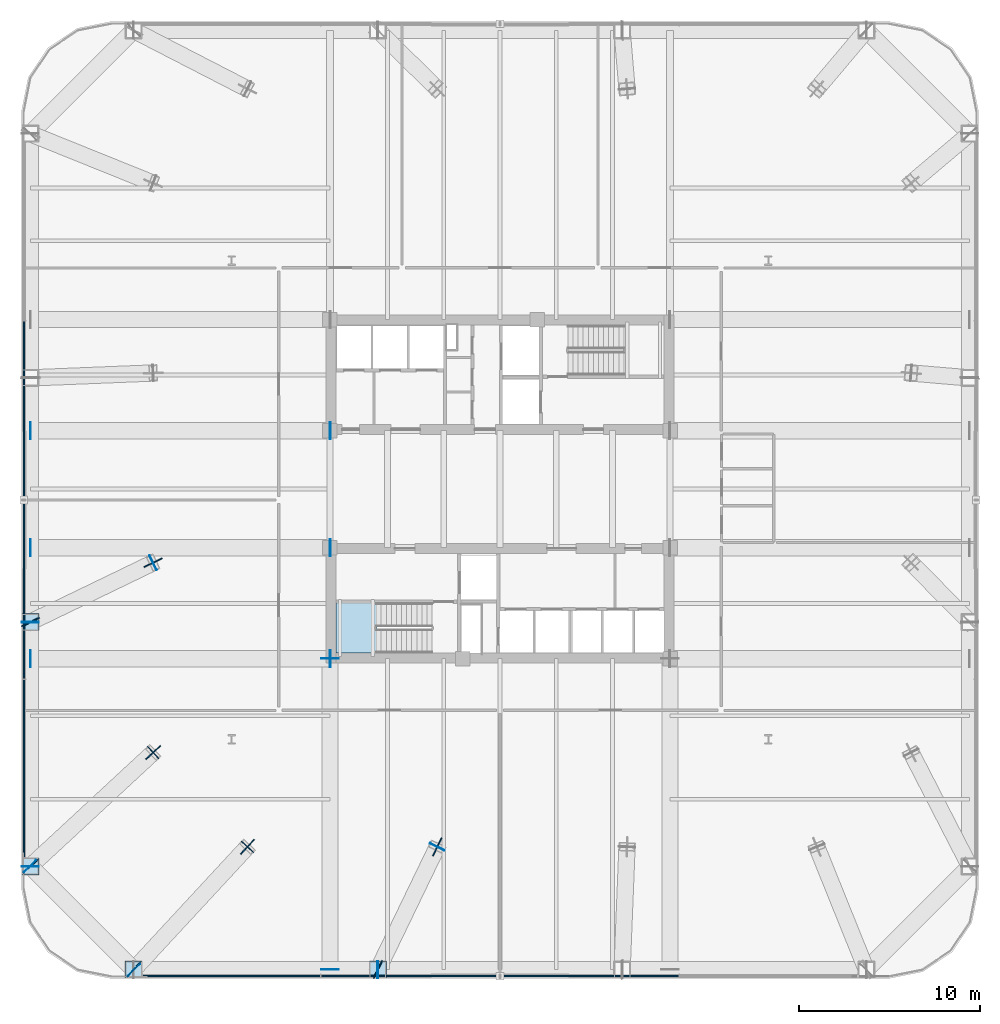
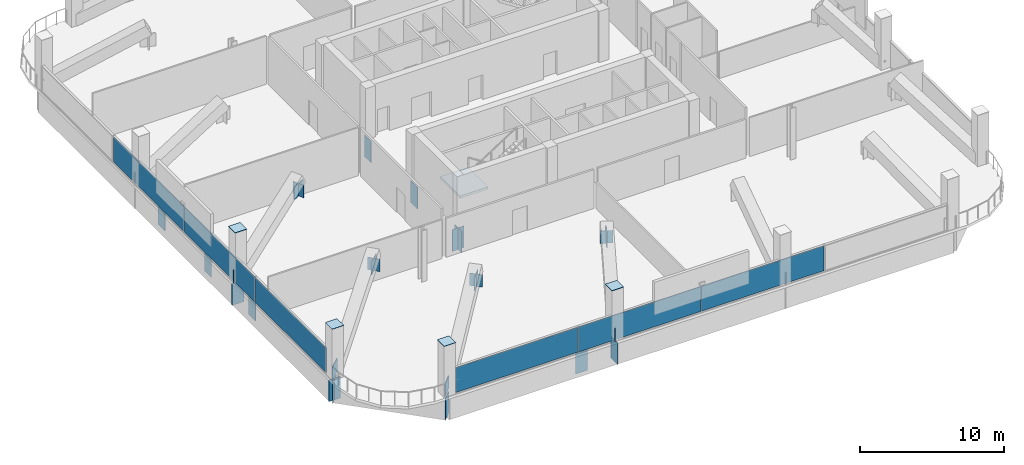
# One storey, part 26 of 38: 37 plates, 1 slab, 3 elements without a shape of their own.
"""IFC4 building model written with IfcOpenShell, lengths in metres."""

from ifc_helpers import new_model, si_unit, direction, frame, origin, origin_2d, place, context, subcontext, project, spatial, polyline, rectangle, outline, extrude, material, layer, layer_set, type_object, element, aggregate, save


model = new_model("IFC4")

# Units and contexts
model_context = context("Model", 3, precision=1e-05, world=origin(), true_north=direction((0.0, 1.0)))
body_context = subcontext(model_context, "Body", "Model", "MODEL_VIEW")
ifc_project = project(units=[si_unit("LENGTHUNIT", "METRE"), si_unit("AREAUNIT", "SQUARE_METRE"), si_unit("VOLUMEUNIT", "CUBIC_METRE"), si_unit("PLANEANGLEUNIT", "RADIAN"), si_unit("MASSUNIT", "GRAM", prefix="KILO")], contexts=[model_context])

# Site, building, storey
site_placement = place(None, origin())
site = spatial("IfcSite", under=ifc_project, at=site_placement, CompositionType="ELEMENT")
building_placement = place(site_placement, origin())
building = spatial("IfcBuilding", under=site, at=building_placement, Name="Qhalaya Broadcast Tower", CompositionType="ELEMENT")
storey_placement = place(building_placement, frame((0.0, 0.0, 53.550048828125)))
storey = spatial("IfcBuildingStorey", under=building, at=storey_placement, Name="L15", CompositionType="ELEMENT", Elevation=53.550048828125)

# Plates
ifc_material_1 = material(Name="Structural Steel ASTM A572 Grade 50", Category="steel")
ifc_layer_1 = layer(ifc_material_1, 0.054931640625, Name="Structural Steel ASTM A572 Grade 50")
ifc_layer_set_1 = layer_set([ifc_layer_1], Name="Structural Steel ASTM A572 Grade 50")
plate_type_1 = type_object("IfcPlateType", Name="Exoskeleton Diamond Node Gusset Plate NP-01", PredefinedType="USERDEFINED", material=ifc_layer_set_1)
for number, where, z_axis, x_axis, name in (
    (1, (-20.199951171875, -25.89990234375, 0.0), (0.0, 0.0, 1.0), (0.679492526614, 0.733682428764, 0.0), "L15 Strut Foot Gusset Plate 01"),
    (2, (-13.929931640625, -19.1298828125, 2.7099609375), (0.0, 0.0, 1.0), (0.679492526614, 0.733682428764, 0.0), "L15 Strut Head Gusset Plate 01"),
    (3, (-6.7333984375, -25.89990234375, 0.0), (0.0, 0.0, 1.0), (0.434932518437, 0.900463049995, 0.0), "L15 Strut Foot Gusset Plate 02"),
    (4, (-3.46337890625, -19.1298828125, 2.7099609375), (0.0, 0.0, 1.0), (0.434932518437, 0.900463049995, 0.0), "L15 Strut Head Gusset Plate 02"),
    (5, (-25.89990234375, -6.7333984375, 0.0), (0.0, 0.0, 1.0), (0.900463049995, 0.434932518437, 0.0), "L15 Strut Foot Gusset Plate 15"),
    (6, (-19.1298828125, -3.46337890625, 2.7099609375), (0.0, 0.0, 1.0), (0.900463049995, 0.434932518437, 0.0), "L15 Strut Head Gusset Plate 15"),
    (7, (-25.89990234375, -20.199951171875, 0.0), (0.0, 0.0, 1.0), (0.733682428764, 0.679492526614, 0.0), "L15 Strut Foot Gusset Plate 16"),
    (8, (-19.1298828125, -13.929931640625, 2.7099609375), (0.0, 0.0, 1.0), (0.733682428764, 0.679492526614, 0.0), "L15 Strut Head Gusset Plate 16"),
):
    element("IfcPlate", number, at=place(storey_placement, frame(where, z_axis=z_axis, x_axis=x_axis)), inside=storey, type_object=plate_type_1, Name=name, ObjectType="GUSSET_PLATE", PredefinedType="USERDEFINED", context=body_context, shape_type="SweptSolid", body=[
        extrude(rectangle(XDim=1.10009765625, YDim=0.06005859375, at=origin_2d()), origin(), (0.0, 0.0, 1.0), 1.10009765625),
    ])
ifc_layer_2 = layer(ifc_material_1, 0.4599609375, Name="Structural Steel ASTM A572 Grade 50")
ifc_layer_set_2 = layer_set([ifc_layer_2], Name="Structural Steel ASTM A572 Grade 50")
plate_type_2 = type_object("IfcPlateType", Name="Hollow Box Member End Cap Plate CP-01", PredefinedType="USERDEFINED", material=ifc_layer_set_2)
for number, where, z_axis, x_axis, name in (
    (9, (-6.71728515625, -25.89990234375, -2.0400390625), (0.0, 0.0, 1.0), (0.0, 1.0, 0.0), "L15 Hollow Girder End Cap L15-SPR-01-B"),
    (10, (-6.749267578125, -25.89990234375, -2.0400390625), (0.0, 0.0, 1.0), (0.0, 1.0, 0.0), "L15 Hollow Girder End Cap L15-SPR-02-A"),
    (11, (-25.89990234375, -6.749267578125, -2.0400390625), (0.0, 0.0, 1.0), (1.0, 0.0, 0.0), "L15 Hollow Girder End Cap L15-SPR-14-B"),
    (12, (-25.89990234375, -6.71728515625, -2.0400390625), (0.0, 0.0, 1.0), (1.0, 0.0, 0.0), "L15 Hollow Girder End Cap L15-SPR-15-A"),
    (13, (-25.89990234375, -20.216064453125, -2.0400390625), (0.0, 0.0, 1.0), (1.0, 0.0, 0.0), "L15 Hollow Girder End Cap L15-SPR-15-B"),
    (14, (-25.911376953125, -20.188720703125, -2.0400390625), (0.0, 0.0, 1.0), (0.707106781187, 0.707106781187, 0.0), "L15 Hollow Girder End Cap L15-SPR-16-A"),
    (15, (-20.188720703125, -25.911376953125, -2.0400390625), (0.0, 0.0, 1.0), (0.707106781187, 0.707106781187, 0.0), "L15 Hollow Girder End Cap L15-SPR-16-B"),
    (16, (-9.375, -25.89599609375, -2.0400390625), (0.0, 0.0, 1.0), (-1.0, 0.0, 0.0), "L15 Hollow Girder End Cap L15-PGXS1-1-A"),
    (17, (-9.375, -8.73388671875, -2.0400390625), (0.0, 0.0, 1.0), (-1.0, 0.0, 0.0), "L15 Hollow Girder End Cap L15-PGXS1-1-B"),
    (18, (-25.89599609375, -8.75, -2.0400390625), (0.0, 0.0, 1.0), (0.0, 1.0, 0.0), "L15 Hollow Girder End Cap L15-PGYW1-1-A"),
    (19, (-9.35888671875, -8.75, -2.0400390625), (0.0, 0.0, 1.0), (0.0, 1.0, 0.0), "L15 Hollow Girder End Cap L15-PGYW1-1-B"),
    (20, (-25.89599609375, -2.625, -2.0400390625), (0.0, 0.0, 1.0), (0.0, 1.0, 0.0), "L15 Hollow Girder End Cap L15-PGYW2-1-A"),
    (21, (-9.35888671875, -2.625, -2.0400390625), (0.0, 0.0, 1.0), (0.0, 1.0, 0.0), "L15 Hollow Girder End Cap L15-PGYW2-1-B"),
    (22, (-25.89599609375, 3.824951171875, -2.0400390625), (0.0, 0.0, 1.0), (0.0, 1.0, 0.0), "L15 Hollow Girder End Cap L15-PGYW3-1-A"),
    (23, (-9.35888671875, 3.824951171875, -2.0400390625), (0.0, 0.0, 1.0), (0.0, 1.0, 0.0), "L15 Hollow Girder End Cap L15-PGYW3-1-B"),
):
    element("IfcPlate", number, at=place(storey_placement, frame(where, z_axis=z_axis, x_axis=x_axis)), inside=storey, type_object=plate_type_2, Name=name, ObjectType="COVER_PLATE", PredefinedType="USERDEFINED", context=body_context, shape_type="SweptSolid", body=[
        extrude(rectangle(XDim=0.93994140625, YDim=0.031982421875, at=origin_2d()), origin(), (0.0, 0.0, 1.0), 1.840087890625),
    ])
for number, where, z_axis, x_axis, name in (
    (24, (-20.199951171875, -25.89990234375, 4.35009765625), (0.0, 0.0, 1.0), (1.0, 0.0, 0.0), "L15 Hollow Box Column Top Cap Plate COL-EX01"),
    (25, (-6.7333984375, -25.89990234375, 4.35009765625), (0.0, 0.0, 1.0), (1.0, 0.0, 0.0), "L15 Hollow Box Column Top Cap Plate COL-EX02"),
    (26, (-25.89990234375, -6.7333984375, 4.35009765625), (0.0, 0.0, 1.0), (0.0, 1.0, 0.0), "L15 Hollow Box Column Top Cap Plate COL-EX15"),
    (27, (-25.89990234375, -20.199951171875, 4.35009765625), (0.0, 0.0, 1.0), (0.0, 1.0, 0.0), "L15 Hollow Box Column Top Cap Plate COL-EX16"),
):
    element("IfcPlate", number, at=place(storey_placement, frame(where, z_axis=z_axis, x_axis=x_axis)), inside=storey, type_object=plate_type_2, Name=name, ObjectType="COVER_PLATE", PredefinedType="USERDEFINED", context=body_context, shape_type="SweptSolid", body=[
        extrude(rectangle(XDim=0.93994140625, YDim=0.93994140625, at=origin_2d()), origin(), (0.0, 0.0, 1.0), 0.031982421875),
    ])

# Curtain wall, plates
ifc_material_2 = material(Name="Fired Architectural Terracotta", Category="masonry")
ifc_layer_3 = layer(ifc_material_2, 0.219970703125, Name="Fired Architectural Terracotta")
ifc_layer_set_3 = layer_set([ifc_layer_3], Name="Fired Architectural Terracotta")
curtain_wall_type = type_object("IfcCurtainWallType", Name="Block-Cap Unitised Terracotta Spandrel Wall CW-07", PredefinedType="NOTDEFINED", material=ifc_layer_set_3)
curtain_wall_1_placement = place(storey_placement, origin())
curtain_wall_1 = element("IfcCurtainWall", 28, at=curtain_wall_1_placement, inside=storey, type_object=curtain_wall_type, Name="L15 Unitised Curtain Wall L15-CW-S", PredefinedType="NOTDEFINED")
ifc_layer_4 = layer(ifc_material_2, 0.080078125, Name="Fired Architectural Terracotta")
ifc_layer_set_4 = layer_set([ifc_layer_4], Name="Fired Architectural Terracotta")
plate_type_3 = type_object("IfcPlateType", Name="Insulated Terracotta Spandrel Panel TSP-07", PredefinedType="CURTAIN_PANEL", material=ifc_layer_set_4)
plate_1_placement = place(storey_placement, frame((4.9404296875, -26.260009765625, 0.074951171875), z_axis=(0.0, 0.0, 1.0), x_axis=(-1.0, 0.0, 0.0)))
plate_1 = element("IfcPlate", 29, at=plate_1_placement, type_object=plate_type_3, Name="CW-07 panel 2.1", PredefinedType="CURTAIN_PANEL", context=body_context, shape_type="SweptSolid", body=[
    extrude(rectangle(XDim=9.805908203125, YDim=0.080078125, at=origin_2d()), origin(), (0.0, 0.0, 1.0), 2.10009765625),
])
plate_2_placement = place(storey_placement, frame((-4.9404296875, -26.260009765625, 0.074951171875), z_axis=(0.0, 0.0, 1.0), x_axis=(-1.0, 0.0, 0.0)))
plate_2 = element("IfcPlate", 30, at=plate_2_placement, type_object=plate_type_3, Name="CW-07 panel 3.1", PredefinedType="CURTAIN_PANEL", context=body_context, shape_type="SweptSolid", body=[
    extrude(rectangle(XDim=9.805908203125, YDim=0.080078125, at=origin_2d()), origin(), (0.0, 0.0, 1.0), 2.10009765625),
])
plate_3_placement = place(storey_placement, frame((-14.802734375, -26.260009765625, 0.074951171875), z_axis=(0.0, 0.0, 1.0), x_axis=(-1.0, 0.0, 0.0)))
plate_3 = element("IfcPlate", 31, at=plate_3_placement, type_object=plate_type_3, Name="CW-07 panel 4.1", PredefinedType="CURTAIN_PANEL", context=body_context, shape_type="SweptSolid", body=[
    extrude(rectangle(XDim=9.7685546875, YDim=0.080078125, at=origin_2d()), origin(), (0.0, 0.0, 1.0), 2.10009765625),
])
aggregate(curtain_wall_1, [plate_1, plate_2, plate_3])

curtain_wall_2_placement = place(storey_placement, origin())
curtain_wall_2 = element("IfcCurtainWall", 32, at=curtain_wall_2_placement, inside=storey, type_object=curtain_wall_type, Name="L15 Unitised Curtain Wall L15-CW-W", PredefinedType="NOTDEFINED")
plate_4_placement = place(storey_placement, frame((-26.260009765625, -14.802734375, 0.074951171875), z_axis=(0.0, 0.0, 1.0), x_axis=(0.0, 1.0, 0.0)))
plate_4 = element("IfcPlate", 33, at=plate_4_placement, type_object=plate_type_3, Name="CW-07 panel 1.1", PredefinedType="CURTAIN_PANEL", context=body_context, shape_type="SweptSolid", body=[
    extrude(rectangle(XDim=9.7685546875, YDim=0.080078125, at=origin_2d()), origin(), (0.0, 0.0, 1.0), 2.10009765625),
])
plate_5_placement = place(storey_placement, frame((-26.260009765625, -4.9404296875, 0.074951171875), z_axis=(0.0, 0.0, 1.0), x_axis=(0.0, 1.0, 0.0)))
plate_5 = element("IfcPlate", 34, at=plate_5_placement, type_object=plate_type_3, Name="CW-07 panel 2.1", PredefinedType="CURTAIN_PANEL", context=body_context, shape_type="SweptSolid", body=[
    extrude(rectangle(XDim=9.805908203125, YDim=0.080078125, at=origin_2d()), origin(), (0.0, 0.0, 1.0), 2.10009765625),
])
plate_6_placement = place(storey_placement, frame((-26.260009765625, 4.9404296875, 0.074951171875), z_axis=(0.0, 0.0, 1.0), x_axis=(0.0, 1.0, 0.0)))
plate_6 = element("IfcPlate", 35, at=plate_6_placement, type_object=plate_type_3, Name="CW-07 panel 3.1", PredefinedType="CURTAIN_PANEL", context=body_context, shape_type="SweptSolid", body=[
    extrude(rectangle(XDim=9.805908203125, YDim=0.080078125, at=origin_2d()), origin(), (0.0, 0.0, 1.0), 2.10009765625),
])
aggregate(curtain_wall_2, [plate_4, plate_5, plate_6])

# Stair, slab
ifc_material_3 = material(Name="Concrete C40/50", Category="concrete")
stair_type = type_object("IfcStairType", Name="Protected Dogleg Core Stair 4200", PredefinedType="TWO_STRAIGHT_RUN_STAIR", material=ifc_material_3)
stair_placement = place(storey_placement, origin())
stair = element("IfcStair", 36, at=stair_placement, inside=storey, type_object=stair_type, Name="L15 South Core Exit Stair ST-2", PredefinedType="TWO_STRAIGHT_RUN_STAIR")
ifc_layer_5 = layer(ifc_material_3, 0.199951171875, Name="Concrete C40/50")
ifc_layer_set_5 = layer_set([ifc_layer_5], Name="Concrete C40/50")
slab_type = type_object("IfcSlabType", Name="Stair & Ramp Half-Landing Slab 200", PredefinedType="LANDING", material=ifc_layer_set_5)
slab_placement = place(storey_placement, frame((0.0, 0.0, 1.974853515625)))
slab = element("IfcSlab", 37, at=slab_placement, type_object=slab_type, Name="ST-2 landing 1", PredefinedType="LANDING", context=body_context, shape_type="SweptSolid", body=[
    extrude(outline(polyline([(-6.794921875, -5.679931640625), (-9.050048828125, -5.679931640625), (-9.050048828125, -8.43994140625), (-6.794921875, -8.43994140625), (-6.794921875, -5.679931640625)])), origin(), (0.0, 0.0, 1.0), 0.2001953125),
])
aggregate(stair, [slab])

# Plates
ifc_layer_6 = layer(ifc_material_1, 0.044921875, Name="Structural Steel ASTM A572 Grade 50")
ifc_layer_set_6 = layer_set([ifc_layer_6], Name="Structural Steel ASTM A572 Grade 50")
plate_type_4 = type_object("IfcPlateType", Name="Transfer Girder Web Stiffener Plate WS-01", PredefinedType="USERDEFINED", material=ifc_layer_set_6)
for number, where, z_axis, x_axis, name in (
    (38, (-13.929931640625, -19.1298828125, 2.73486328125), (0.0, 0.0, 1.0), (-0.733682428764, 0.679492526614, 0.0), "L15 Strut Head Cross Diaphragm Plate 01"),
    (39, (-3.46337890625, -19.1298828125, 2.73486328125), (0.0, 0.0, 1.0), (-0.900463049995, 0.434932518437, 0.0), "L15 Strut Head Cross Diaphragm Plate 02"),
    (40, (-19.1298828125, -3.46337890625, 2.73486328125), (0.0, 0.0, 1.0), (-0.434932518437, 0.900463049995, 0.0), "L15 Strut Head Cross Diaphragm Plate 15"),
    (41, (-19.1298828125, -13.929931640625, 2.73486328125), (0.0, 0.0, 1.0), (-0.679492526614, 0.733682428764, 0.0), "L15 Strut Head Cross Diaphragm Plate 16"),
):
    element("IfcPlate", number, at=place(storey_placement, frame(where, z_axis=z_axis, x_axis=x_axis)), inside=storey, type_object=plate_type_4, Name=name, ObjectType="STIFFENER_PLATE", PredefinedType="USERDEFINED", context=body_context, shape_type="SweptSolid", body=[
        extrude(rectangle(XDim=0.89990234375, YDim=0.044921875, at=origin_2d()), origin(), (0.0, 0.0, 1.0), 1.050048828125),
    ])

save(model, "model.ifc")
